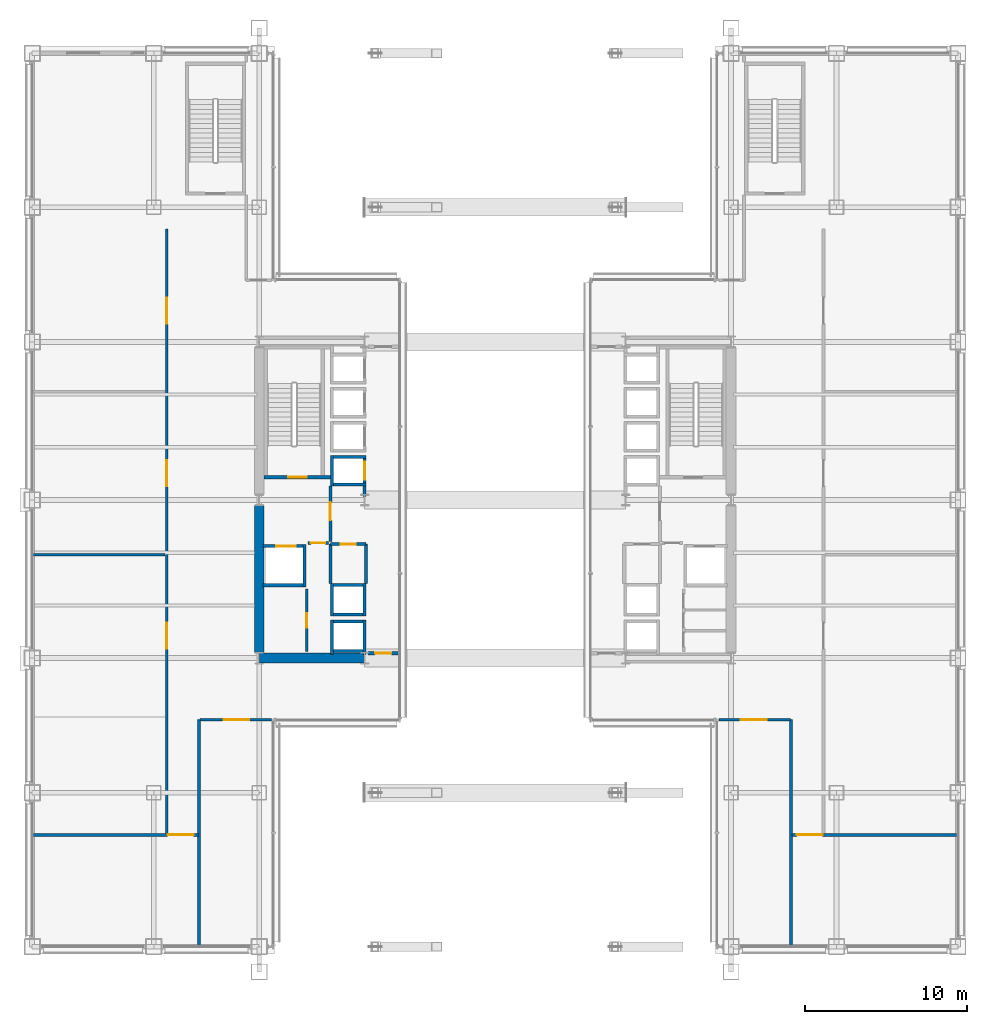
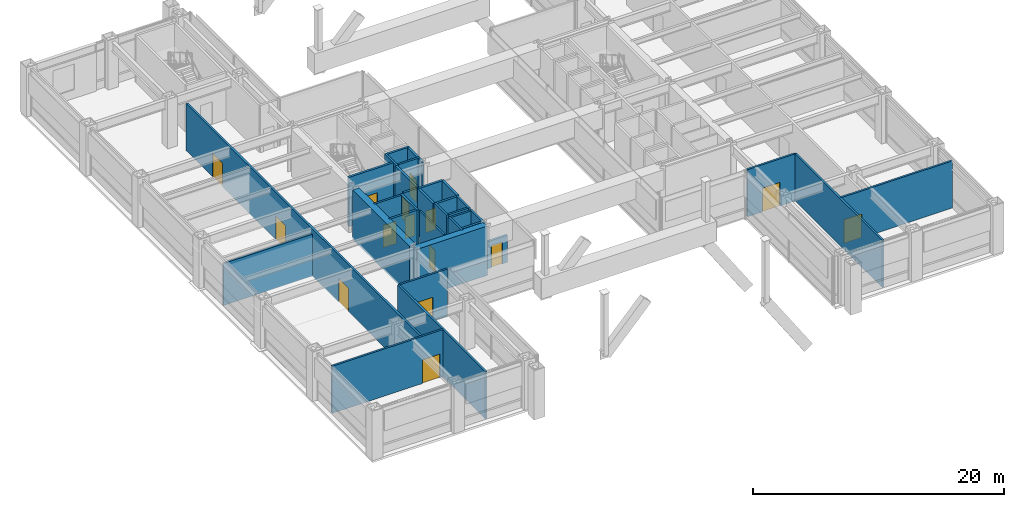
# One storey, part 37 of 42: 33 walls, 15 doors, 15 openings.
"""IFC4 building model written with IfcOpenShell, lengths in metres."""

from ifc_helpers import new_model, si_unit, direction, frame, frame_2d, origin, place, context, subcontext, project, spatial, rectangle, extrude, material, layer, layer_set, type_object, element, fill, save


model = new_model("IFC4")

# Units and contexts
model_context = context("Model", 3, precision=1e-05, world=origin(), true_north=direction((0.0, 1.0)))
body_context = subcontext(model_context, "Body", "Model", "MODEL_VIEW")
ifc_project = project(units=[si_unit("LENGTHUNIT", "METRE"), si_unit("AREAUNIT", "SQUARE_METRE"), si_unit("VOLUMEUNIT", "CUBIC_METRE"), si_unit("PLANEANGLEUNIT", "RADIAN"), si_unit("MASSUNIT", "GRAM", prefix="KILO")], contexts=[model_context])

# Site, building, storey
site_placement = place(None, origin())
site = spatial("IfcSite", under=ifc_project, at=site_placement, CompositionType="ELEMENT")
building_placement = place(site_placement, origin())
building = spatial("IfcBuilding", under=site, at=building_placement, Name="Brelmoor Portico Tower", CompositionType="ELEMENT")
storey_placement = place(building_placement, frame((0.0, 0.0, 9.60009765625)))
storey = spatial("IfcBuildingStorey", under=building, at=storey_placement, Name="L02", CompositionType="ELEMENT", Elevation=9.60009765625)

# Walls
ifc_material_1 = material(Name="Concrete C60", Category="concrete")
ifc_layer_1 = layer(ifc_material_1, 0.60009765625)
ifc_layer_set_1 = layer_set([ifc_layer_1], Name="Concrete C60")
wall_type_1 = type_object("IfcWallType", Name="WL-CORE-600", PredefinedType="SHEAR", material=ifc_layer_set_1)
wall_1_placement = place(storey_placement, frame((-14.530029296875, -9.75, -0.22021484375), z_axis=(0.0, 0.0, 1.0), x_axis=(1.0, 0.0, 0.0)))
element("IfcWall", 1, at=wall_1_placement, inside=storey, type_object=wall_type_1, Name="L02 WC South Shear Wall", PredefinedType="SHEAR", context=body_context, shape_type="SweptSolid", body=[
    extrude(rectangle(XDim=6.4599609375, YDim=0.60009765625, at=frame_2d((3.22998046875, 0.0))), origin(), (0.0, 0.0, 1.0), 4.800048828125),
])
wall_2_placement = place(storey_placement, frame((-14.550048828125, -9.39990234375, -0.22021484375), z_axis=(0.0, 0.0, 1.0), x_axis=(0.0, 1.0, 0.0)))
element("IfcWall", 2, at=wall_2_placement, inside=storey, type_object=wall_type_1, Name="L02 WC Outer South Shear Wall", PredefinedType="SHEAR", context=body_context, shape_type="SweptSolid", body=[
    extrude(rectangle(XDim=9.0498046875, YDim=0.60009765625, at=frame_2d((4.52490234375, 0.0))), origin(), (0.0, 0.0, 1.0), 4.800048828125),
])

# Wall, opening, door
ifc_material_2 = material(Name="Twin-Frame Acoustic Partition", Category="gypsum")
ifc_layer_2 = layer(ifc_material_2, 0.159912109375)
ifc_layer_set_2 = layer_set([ifc_layer_2], Name="Twin-Frame Acoustic Partition")
wall_type_2 = type_object("IfcWallType", Name="WL-PART-160", PredefinedType="PARTITIONING", material=ifc_layer_set_2)
wall_3_placement = place(storey_placement, frame((-11.6201171875, -9.35009765625, 0.0), z_axis=(0.0, 0.0, 1.0), x_axis=(0.0, 1.0, 0.0)))
wall_3 = element("IfcWall", 3, at=wall_3_placement, inside=storey, type_object=wall_type_2, Name="L02 W Core Service Front Wall", PredefinedType="PARTITIONING", context=body_context, shape_type="SweptSolid", body=[
    extrude(rectangle(XDim=3.85009765625, YDim=0.159912109375, at=frame_2d((1.925048828125, 0.0))), origin(), (0.0, 0.0, 1.0), 4.579833984375),
])
opening_1_placement = place(wall_3_placement, frame((1.47509765625, 0.0, 0.0)))
opening_1 = element("IfcOpeningElement", 4, at=opening_1_placement, cuts=wall_3, Name="Opening D-IN1", PredefinedType="OPENING", context=body_context, shape_type="SweptSolid", body=[
    extrude(rectangle(XDim=0.89990234375, YDim=2.14990234375, at=frame_2d((0.449951171875, 1.074951171875))), frame((0.0, 0.08984375, 0.0), z_axis=(0.0, -1.0, 0.0), x_axis=(1.0, 0.0, 0.0)), (0.0, 0.0, 1.0), 0.179931640625),
])
ifc_material_3 = material(Name="Lacquered Timber Suite Door", Category="wood")
door_type_1 = type_object("IfcDoorType", Name="DR-INT-900", OperationType="NOTDEFINED", PredefinedType="DOOR", material=ifc_material_3)
door_1_placement = place(opening_1_placement, origin())
door_1 = element("IfcDoor", 5, at=door_1_placement, inside=storey, type_object=door_type_1, Name="D-0135 L02 W Accessible WC Door", OperationType="SINGLE_SWING_RIGHT", OverallHeight=2.14990234375, OverallWidth=0.89990234375, PredefinedType="DOOR", context=body_context, shape_type="SweptSolid", body=[
    extrude(rectangle(XDim=0.89990234375, YDim=2.14990234375, at=frame_2d((0.449951171875, 1.074951171875))), frame((0.0, 0.02490234375, 0.0), z_axis=(0.0, -1.0, 0.0), x_axis=(1.0, 0.0, 0.0)), (0.0, 0.0, 1.0), 0.050048828125),
])
fill(opening_1, door_1)

# Wall
wall_4_placement = place(storey_placement, frame((-20.35009765625, -3.36669921875, 0.0), z_axis=(0.0, 0.0, 1.0), x_axis=(-1.0, 0.0, 0.0)))
element("IfcWall", 6, at=wall_4_placement, inside=storey, type_object=wall_type_2, Name="L02 W Wing Divider 1", PredefinedType="PARTITIONING", context=body_context, shape_type="SweptSolid", body=[
    extrude(rectangle(XDim=8.169921875, YDim=0.159912109375, at=frame_2d((4.0849609375, 0.0))), origin(), (0.0, 0.0, 1.0), 4.079833984375),
])

# Wall, openings, doors
ifc_material_4 = material(Name="Acoustic Corridor Fire Partition", Category="gypsum")
ifc_layer_3 = layer(ifc_material_4, 0.179931640625)
ifc_layer_set_3 = layer_set([ifc_layer_3], Name="Acoustic Corridor Fire Partition")
wall_type_3 = type_object("IfcWallType", Name="WL-PART-180", PredefinedType="PARTITIONING", material=ifc_layer_set_3)
wall_5_placement = place(storey_placement, frame((-20.25, -20.60009765625, 0.0), z_axis=(0.0, 0.0, 1.0), x_axis=(0.0, 1.0, 0.0)))
wall_5 = element("IfcWall", 7, at=wall_5_placement, inside=storey, type_object=wall_type_3, Name="L02 W Wing Concourse Wall", PredefinedType="PARTITIONING", context=body_context, shape_type="SweptSolid", body=[
    extrude(rectangle(XDim=37.300048828125, YDim=0.179931640625, at=frame_2d((18.64990234375, 0.0))), origin(), (0.0, 0.0, 1.0), 4.579833984375),
])
opening_2_placement = place(wall_5_placement, frame((11.416748046875, 0.0, 0.0)))
opening_2 = element("IfcOpeningElement", 8, at=opening_2_placement, cuts=wall_5, Name="Opening D-PB1", PredefinedType="OPENING", context=body_context, shape_type="SweptSolid", body=[
    extrude(rectangle(XDim=1.60009765625, YDim=2.300048828125, at=frame_2d((0.800048828125, 1.14990234375))), frame((0.0, 0.099853515625, 0.0), z_axis=(0.0, -1.0, 0.0), x_axis=(1.0, 0.0, 0.0)), (0.0, 0.0, 1.0), 0.199951171875),
])
opening_3_placement = place(wall_5_placement, frame((21.449951171875, 0.0, 0.0)))
opening_3 = element("IfcOpeningElement", 9, at=opening_3_placement, cuts=wall_5, Name="Opening D-PB1", PredefinedType="OPENING", context=body_context, shape_type="SweptSolid", body=[
    extrude(rectangle(XDim=1.60009765625, YDim=2.300048828125, at=frame_2d((0.800048828125, 1.14990234375))), frame((0.0, 0.099853515625, 0.0), z_axis=(0.0, -1.0, 0.0), x_axis=(1.0, 0.0, 0.0)), (0.0, 0.0, 1.0), 0.199951171875),
])
opening_4_placement = place(wall_5_placement, frame((31.4833984375, 0.0, 0.0)))
opening_4 = element("IfcOpeningElement", 10, at=opening_4_placement, cuts=wall_5, Name="Opening D-PB1", PredefinedType="OPENING", context=body_context, shape_type="SweptSolid", body=[
    extrude(rectangle(XDim=1.60009765625, YDim=2.300048828125, at=frame_2d((0.800048828125, 1.14990234375))), frame((0.0, 0.099853515625, 0.0), z_axis=(0.0, -1.0, 0.0), x_axis=(1.0, 0.0, 0.0)), (0.0, 0.0, 1.0), 0.199951171875),
])
ifc_material_5 = material(Name="Double-Leaf Anodised Aluminium Hall Door", Category="aluminium")
door_type_2 = type_object("IfcDoorType", Name="DR-PUBLIC-1600", OperationType="NOTDEFINED", PredefinedType="DOOR", material=ifc_material_5)
door_2_placement = place(opening_2_placement, origin())
door_2 = element("IfcDoor", 11, at=door_2_placement, inside=storey, type_object=door_type_2, Name="D-0153 L02 W Public Exhibition Studio Door", OperationType="DOUBLE_DOOR_SINGLE_SWING", OverallHeight=2.300048828125, OverallWidth=1.60009765625, PredefinedType="DOOR", context=body_context, shape_type="SweptSolid", body=[
    extrude(rectangle(XDim=1.60009765625, YDim=2.300048828125, at=frame_2d((0.800048828125, 1.14990234375))), frame((0.0, 0.02490234375, 0.0), z_axis=(0.0, -1.0, 0.0), x_axis=(1.0, 0.0, 0.0)), (0.0, 0.0, 1.0), 0.050048828125),
])
fill(opening_2, door_2)
door_3_placement = place(opening_3_placement, origin())
door_3 = element("IfcDoor", 12, at=door_3_placement, inside=storey, type_object=door_type_2, Name="D-0154 L02 W Flagship Retail Arcade Door", OperationType="DOUBLE_DOOR_SINGLE_SWING", OverallHeight=2.300048828125, OverallWidth=1.60009765625, PredefinedType="DOOR", context=body_context, shape_type="SweptSolid", body=[
    extrude(rectangle(XDim=1.60009765625, YDim=2.300048828125, at=frame_2d((0.800048828125, 1.14990234375))), frame((0.0, 0.02490234375, 0.0), z_axis=(0.0, -1.0, 0.0), x_axis=(1.0, 0.0, 0.0)), (0.0, 0.0, 1.0), 0.050048828125),
])
fill(opening_3, door_3)
door_4_placement = place(opening_4_placement, origin())
door_4 = element("IfcDoor", 13, at=door_4_placement, inside=storey, type_object=door_type_2, Name="D-0155 L02 W Architectural Archive Office Door", OperationType="DOUBLE_DOOR_SINGLE_SWING", OverallHeight=2.300048828125, OverallWidth=1.60009765625, PredefinedType="DOOR", context=body_context, shape_type="SweptSolid", body=[
    extrude(rectangle(XDim=1.60009765625, YDim=2.300048828125, at=frame_2d((0.800048828125, 1.14990234375))), frame((0.0, 0.02490234375, 0.0), z_axis=(0.0, -1.0, 0.0), x_axis=(1.0, 0.0, 0.0)), (0.0, 0.0, 1.0), 0.050048828125),
])
fill(opening_4, door_4)

# Wall, opening, door
wall_6_placement = place(storey_placement, frame((-13.800048828125, -13.550048828125, 0.0), z_axis=(0.0, 0.0, 1.0), x_axis=(-1.0, 0.0, 0.0)))
wall_6 = element("IfcWall", 14, at=wall_6_placement, inside=storey, type_object=wall_type_3, Name="L02 W South Hall Wall", PredefinedType="PARTITIONING", context=body_context, shape_type="SweptSolid", body=[
    extrude(rectangle(XDim=4.39990234375, YDim=0.179931640625, at=frame_2d((2.199951171875, 0.0))), origin(), (0.0, 0.0, 1.0), 4.579833984375),
])
opening_5_placement = place(wall_6_placement, frame((1.35009765625, 0.0, 0.0)))
opening_5 = element("IfcOpeningElement", 15, at=opening_5_placement, cuts=wall_6, Name="Opening D-PB1", PredefinedType="OPENING", context=body_context, shape_type="SweptSolid", body=[
    extrude(rectangle(XDim=1.60009765625, YDim=2.300048828125, at=frame_2d((0.800048828125, 1.14990234375))), frame((0.0, 0.099853515625, 0.0), z_axis=(0.0, -1.0, 0.0), x_axis=(1.0, 0.0, 0.0)), (0.0, 0.0, 1.0), 0.199951171875),
])
door_5_placement = place(opening_5_placement, origin())
door_5 = element("IfcDoor", 16, at=door_5_placement, inside=storey, type_object=door_type_2, Name="D-0147 L02 W South Studio Door", OperationType="DOUBLE_DOOR_SINGLE_SWING", OverallHeight=2.300048828125, OverallWidth=1.60009765625, PredefinedType="DOOR", context=body_context, shape_type="SweptSolid", body=[
    extrude(rectangle(XDim=1.60009765625, YDim=2.300048828125, at=frame_2d((0.800048828125, 1.14990234375))), frame((0.0, 0.02490234375, 0.0), z_axis=(0.0, -1.0, 0.0), x_axis=(1.0, 0.0, 0.0)), (0.0, 0.0, 1.0), 0.050048828125),
])
fill(opening_5, door_5)

# Wall
wall_7_placement = place(storey_placement, frame((-18.25, -27.5, 0.0), z_axis=(0.0, 0.0, 1.0), x_axis=(0.0, 1.0, 0.0)))
element("IfcWall", 17, at=wall_7_placement, inside=storey, type_object=wall_type_3, Name="L02 W South Studio Side Wall", PredefinedType="PARTITIONING", context=body_context, shape_type="SweptSolid", body=[
    extrude(rectangle(XDim=13.949951171875, YDim=0.179931640625, at=frame_2d((6.97509765625, 0.0))), origin(), (0.0, 0.0, 1.0), 4.579833984375),
])

# Wall, opening, door
wall_8_placement = place(storey_placement, frame((-18.300048828125, -20.64990234375, 0.0), z_axis=(0.0, 0.0, 1.0), x_axis=(-1.0, 0.0, 0.0)))
wall_8 = element("IfcWall", 18, at=wall_8_placement, inside=storey, type_object=wall_type_3, Name="L02 W South Corner Concourse Wall", PredefinedType="PARTITIONING", context=body_context, shape_type="SweptSolid", body=[
    extrude(rectangle(XDim=10.219970703125, YDim=0.179931640625, at=frame_2d((5.10986328125, 0.0))), origin(), (0.0, 0.0, 1.0), 4.579833984375),
])
opening_6_placement = place(wall_8_placement, frame((0.300048828125, 0.0, 0.0)))
opening_6 = element("IfcOpeningElement", 19, at=opening_6_placement, cuts=wall_8, Name="Opening D-PB1", PredefinedType="OPENING", context=body_context, shape_type="SweptSolid", body=[
    extrude(rectangle(XDim=1.60009765625, YDim=2.300048828125, at=frame_2d((0.800048828125, 1.14990234375))), frame((0.0, 0.099853515625, 0.0), z_axis=(0.0, -1.0, 0.0), x_axis=(1.0, 0.0, 0.0)), (0.0, 0.0, 1.0), 0.199951171875),
])
door_6_placement = place(opening_6_placement, origin())
door_6 = element("IfcDoor", 20, at=door_6_placement, inside=storey, type_object=door_type_2, Name="D-0149 L02 W South Corner Retail Door", OperationType="DOUBLE_DOOR_SINGLE_SWING", OverallHeight=2.300048828125, OverallWidth=1.60009765625, PredefinedType="DOOR", context=body_context, shape_type="SweptSolid", body=[
    extrude(rectangle(XDim=1.60009765625, YDim=2.300048828125, at=frame_2d((0.800048828125, 1.14990234375))), frame((0.0, 0.02490234375, 0.0), z_axis=(0.0, -1.0, 0.0), x_axis=(1.0, 0.0, 0.0)), (0.0, 0.0, 1.0), 0.050048828125),
])
fill(opening_6, door_6)

wall_9_placement = place(storey_placement, frame((13.800048828125, -13.550048828125, 0.0), z_axis=(0.0, 0.0, 1.0), x_axis=(1.0, 0.0, 0.0)))
wall_9 = element("IfcWall", 21, at=wall_9_placement, inside=storey, type_object=wall_type_3, Name="L02 E South Hall Wall", PredefinedType="PARTITIONING", context=body_context, shape_type="SweptSolid", body=[
    extrude(rectangle(XDim=4.39990234375, YDim=0.179931640625, at=frame_2d((2.199951171875, 0.0))), origin(), (0.0, 0.0, 1.0), 4.579833984375),
])
opening_7_placement = place(wall_9_placement, frame((1.35009765625, 0.0, 0.0)))
opening_7 = element("IfcOpeningElement", 22, at=opening_7_placement, cuts=wall_9, Name="Opening D-PB1", PredefinedType="OPENING", context=body_context, shape_type="SweptSolid", body=[
    extrude(rectangle(XDim=1.60009765625, YDim=2.300048828125, at=frame_2d((0.800048828125, 1.14990234375))), frame((0.0, 0.099853515625, 0.0), z_axis=(0.0, -1.0, 0.0), x_axis=(1.0, 0.0, 0.0)), (0.0, 0.0, 1.0), 0.199951171875),
])
door_7_placement = place(opening_7_placement, origin())
door_7 = element("IfcDoor", 23, at=door_7_placement, inside=storey, type_object=door_type_2, Name="D-0146 L02 E South Studio Door", OperationType="DOUBLE_DOOR_SINGLE_SWING", OverallHeight=2.300048828125, OverallWidth=1.60009765625, PredefinedType="DOOR", context=body_context, shape_type="SweptSolid", body=[
    extrude(rectangle(XDim=1.60009765625, YDim=2.300048828125, at=frame_2d((0.800048828125, 1.14990234375))), frame((0.0, 0.02490234375, 0.0), z_axis=(0.0, -1.0, 0.0), x_axis=(1.0, 0.0, 0.0)), (0.0, 0.0, 1.0), 0.050048828125),
])
fill(opening_7, door_7)

# Wall
wall_10_placement = place(storey_placement, frame((18.25, -27.5, 0.0), z_axis=(0.0, 0.0, 1.0), x_axis=(0.0, 1.0, 0.0)))
element("IfcWall", 24, at=wall_10_placement, inside=storey, type_object=wall_type_3, Name="L02 E South Studio Side Wall", PredefinedType="PARTITIONING", context=body_context, shape_type="SweptSolid", body=[
    extrude(rectangle(XDim=13.949951171875, YDim=0.179931640625, at=frame_2d((6.97509765625, 0.0))), origin(), (0.0, 0.0, 1.0), 4.579833984375),
])

# Wall, opening, door
wall_11_placement = place(storey_placement, frame((18.300048828125, -20.64990234375, 0.0), z_axis=(0.0, 0.0, 1.0), x_axis=(1.0, 0.0, 0.0)))
wall_11 = element("IfcWall", 25, at=wall_11_placement, inside=storey, type_object=wall_type_3, Name="L02 E South Corner Concourse Wall", PredefinedType="PARTITIONING", context=body_context, shape_type="SweptSolid", body=[
    extrude(rectangle(XDim=10.219970703125, YDim=0.179931640625, at=frame_2d((5.10986328125, 0.0))), origin(), (0.0, 0.0, 1.0), 4.579833984375),
])
opening_8_placement = place(wall_11_placement, frame((0.300048828125, 0.0, 0.0)))
opening_8 = element("IfcOpeningElement", 26, at=opening_8_placement, cuts=wall_11, Name="Opening D-PB1", PredefinedType="OPENING", context=body_context, shape_type="SweptSolid", body=[
    extrude(rectangle(XDim=1.60009765625, YDim=2.300048828125, at=frame_2d((0.800048828125, 1.14990234375))), frame((0.0, 0.099853515625, 0.0), z_axis=(0.0, -1.0, 0.0), x_axis=(1.0, 0.0, 0.0)), (0.0, 0.0, 1.0), 0.199951171875),
])
door_8_placement = place(opening_8_placement, origin())
door_8 = element("IfcDoor", 27, at=door_8_placement, inside=storey, type_object=door_type_2, Name="D-0148 L02 E South Corner Retail Door", OperationType="DOUBLE_DOOR_SINGLE_SWING", OverallHeight=2.300048828125, OverallWidth=1.60009765625, PredefinedType="DOOR", context=body_context, shape_type="SweptSolid", body=[
    extrude(rectangle(XDim=1.60009765625, YDim=2.300048828125, at=frame_2d((0.800048828125, 1.14990234375))), frame((0.0, 0.02490234375, 0.0), z_axis=(0.0, -1.0, 0.0), x_axis=(1.0, 0.0, 0.0)), (0.0, 0.0, 1.0), 0.050048828125),
])
fill(opening_8, door_8)

ifc_material_6 = material(Name="Double-Stud Gypsum Fire Partition", Category="gypsum")
ifc_layer_4 = layer(ifc_material_6, 0.199951171875)
ifc_layer_set_4 = layer_set([ifc_layer_4], Name="Double-Stud Gypsum Fire Partition")
wall_type_4 = type_object("IfcWallType", Name="WL-PART-200", PredefinedType="PARTITIONING", material=ifc_layer_set_4)
wall_12_placement = place(storey_placement, frame((-10.159912109375, -2.550048828125, 0.0), z_axis=(0.0, 0.0, 1.0), x_axis=(0.0, 1.0, 0.0)))
wall_12 = element("IfcWall", 28, at=wall_12_placement, inside=storey, type_object=wall_type_4, Name="L02 W Firefighting Lobby Wall", PredefinedType="PARTITIONING", context=body_context, shape_type="SweptSolid", body=[
    extrude(rectangle(XDim=3.400146484375, YDim=0.199951171875, at=frame_2d((1.7001953125, 0.0))), origin(), (0.0, 0.0, 1.0), 4.579833984375),
])
opening_9_placement = place(wall_12_placement, frame((1.300048828125, 0.0, 0.0)))
opening_9 = element("IfcOpeningElement", 29, at=opening_9_placement, cuts=wall_12, Name="Opening D-FR1", PredefinedType="OPENING", context=body_context, shape_type="SweptSolid", body=[
    extrude(rectangle(XDim=1.10009765625, YDim=2.14990234375, at=frame_2d((0.550048828125, 1.074951171875))), frame((0.0, 0.10986328125, 0.0), z_axis=(0.0, -1.0, 0.0), x_axis=(1.0, 0.0, 0.0)), (0.0, 0.0, 1.0), 0.219970703125),
])
ifc_material_7 = material(Name="Painted Galvanised Steel Fire Door", Category="steel")
door_type_3 = type_object("IfcDoorType", Name="DR-FIRE-1100", OperationType="NOTDEFINED", PredefinedType="DOOR", material=ifc_material_7)
door_9_placement = place(opening_9_placement, origin())
door_9 = element("IfcDoor", 30, at=door_9_placement, inside=storey, type_object=door_type_3, Name="D-0139 L02 W Firefighting Lobby Door", OperationType="SINGLE_SWING_LEFT", OverallHeight=2.14990234375, OverallWidth=1.10009765625, PredefinedType="DOOR", context=body_context, shape_type="SweptSolid", body=[
    extrude(rectangle(XDim=1.10009765625, YDim=2.14990234375, at=frame_2d((0.550048828125, 1.074951171875))), frame((0.0, 0.02490234375, 0.0), z_axis=(0.0, -1.0, 0.0), x_axis=(1.0, 0.0, 0.0)), (0.0, 0.0, 1.0), 0.050048828125),
])
fill(opening_9, door_9)

wall_13_placement = place(storey_placement, frame((-10.280029296875, -2.64990234375, 0.0), z_axis=(0.0, 0.0, 1.0), x_axis=(-1.0, 0.0, 0.0)))
wall_13 = element("IfcWall", 31, at=wall_13_placement, inside=storey, type_object=wall_type_4, Name="L02 W Firefighting Lobby South Wall", PredefinedType="PARTITIONING", context=body_context, shape_type="SweptSolid", body=[
    extrude(rectangle(XDim=1.27001953125, YDim=0.199951171875, at=frame_2d((0.635009765625, 0.0))), origin(), (0.0, 0.0, 1.0), 4.579833984375),
])
opening_10_placement = place(wall_13_placement, frame((0.18505859375, 0.0, 0.0)))
opening_10 = element("IfcOpeningElement", 32, at=opening_10_placement, cuts=wall_13, Name="Opening D-IN1", PredefinedType="OPENING", context=body_context, shape_type="SweptSolid", body=[
    extrude(rectangle(XDim=0.89990234375, YDim=2.14990234375, at=frame_2d((0.449951171875, 1.074951171875))), frame((0.0, 0.10986328125, 0.0), z_axis=(0.0, -1.0, 0.0), x_axis=(1.0, 0.0, 0.0)), (0.0, 0.0, 1.0), 0.219970703125),
])
door_10_placement = place(opening_10_placement, origin())
door_10 = element("IfcDoor", 33, at=door_10_placement, inside=storey, type_object=door_type_1, Name="D-0134 L02 W Core Service Vestibule Door", OperationType="SINGLE_SWING_RIGHT", OverallHeight=2.14990234375, OverallWidth=0.89990234375, PredefinedType="DOOR", context=body_context, shape_type="SweptSolid", body=[
    extrude(rectangle(XDim=0.89990234375, YDim=2.14990234375, at=frame_2d((0.449951171875, 1.074951171875))), frame((0.0, 0.02490234375, 0.0), z_axis=(0.0, -1.0, 0.0), x_axis=(1.0, 0.0, 0.0)), (0.0, 0.0, 1.0), 0.050048828125),
])
fill(opening_10, door_10)

wall_14_placement = place(storey_placement, frame((-7.9599609375, -2.719970703125, 0.0), z_axis=(0.0, 0.0, 1.0), x_axis=(-1.0, 0.0, 0.0)))
wall_14 = element("IfcWall", 34, at=wall_14_placement, inside=storey, type_object=wall_type_4, Name="L02 W Electrical Switchgear Closet Wall", PredefinedType="PARTITIONING", context=body_context, shape_type="SweptSolid", body=[
    extrude(rectangle(XDim=2.199951171875, YDim=0.199951171875, at=frame_2d((1.10009765625, 0.0))), origin(), (0.0, 0.0, 1.0), 4.579833984375),
])
opening_11_placement = place(wall_14_placement, frame((0.6201171875, 0.0, 0.0)))
opening_11 = element("IfcOpeningElement", 35, at=opening_11_placement, cuts=wall_14, Name="Opening D-FR4", PredefinedType="OPENING", context=body_context, shape_type="SweptSolid", body=[
    extrude(rectangle(XDim=0.949951171875, YDim=2.10009765625, at=frame_2d((0.47509765625, 1.050048828125))), frame((0.0, 0.10986328125, 0.0), z_axis=(0.0, -1.0, 0.0), x_axis=(1.0, 0.0, 0.0)), (0.0, 0.0, 1.0), 0.219970703125),
])
ifc_material_8 = material(Name="Painted Galvanised Steel Riser Door", Category="steel")
door_type_4 = type_object("IfcDoorType", Name="DR-FIRE-950", OperationType="NOTDEFINED", PredefinedType="DOOR", material=ifc_material_8)
door_11_placement = place(opening_11_placement, origin())
door_11 = element("IfcDoor", 36, at=door_11_placement, inside=storey, type_object=door_type_4, Name="D-0137 L02 W Electrical Switchgear Closet Door", OperationType="SINGLE_SWING_LEFT", OverallHeight=2.10009765625, OverallWidth=0.949951171875, PredefinedType="DOOR", context=body_context, shape_type="SweptSolid", body=[
    extrude(rectangle(XDim=0.949951171875, YDim=2.10009765625, at=frame_2d((0.47509765625, 1.050048828125))), frame((0.0, 0.02490234375, 0.0), z_axis=(0.0, -1.0, 0.0), x_axis=(1.0, 0.0, 0.0)), (0.0, 0.0, 1.0), 0.050048828125),
])
fill(opening_11, door_11)

# Walls
for number, where, z_axis, x_axis, name in (
    (37, (-7.9599609375, -5.159912109375, 0.0), (0.0, 0.0, 1.0), (0.0, 1.0, 0.0), "L02 W Electrical Switchgear Closet Inner Wall"),
    (38, (-10.159912109375, -5.159912109375, 0.0), (0.0, 0.0, 1.0), (0.0, 1.0, 0.0), "L02 W Electrical Switchgear Closet Outer Wall"),
):
    element("IfcWall", number, at=place(storey_placement, frame(where, z_axis=z_axis, x_axis=x_axis)), inside=storey, type_object=wall_type_4, Name=name, PredefinedType="PARTITIONING", context=body_context, shape_type="SweptSolid", body=[
        extrude(rectangle(XDim=2.43994140625, YDim=0.199951171875, at=frame_2d((1.219970703125, 0.0))), origin(), (0.0, 0.0, 1.0), 4.579833984375),
    ])

# Wall, opening, door
wall_15_placement = place(storey_placement, frame((-7.85009765625, -9.449951171875, 0.0), z_axis=(0.0, 0.0, 1.0), x_axis=(1.0, 0.0, 0.0)))
wall_15 = element("IfcWall", 39, at=wall_15_placement, inside=storey, type_object=wall_type_4, Name="L02 W Pier Lift Lobby South Wall", PredefinedType="PARTITIONING", context=body_context, shape_type="SweptSolid", body=[
    extrude(rectangle(XDim=1.93017578125, YDim=0.199951171875, at=frame_2d((0.965087890625, 0.0))), origin(), (0.0, 0.0, 1.0), 2.6298828125),
])
opening_12_placement = place(wall_15_placement, frame((0.449951171875, 0.0, 0.0)))
opening_12 = element("IfcOpeningElement", 40, at=opening_12_placement, cuts=wall_15, Name="Opening D-FR2", PredefinedType="OPENING", context=body_context, shape_type="SweptSolid", body=[
    extrude(rectangle(XDim=1.0, YDim=2.14990234375, at=frame_2d((0.5, 1.074951171875))), frame((0.0, 0.10986328125, 0.0), z_axis=(0.0, -1.0, 0.0), x_axis=(1.0, 0.0, 0.0)), (0.0, 0.0, 1.0), 0.219970703125),
])
door_type_5 = type_object("IfcDoorType", Name="DR-FIRE-1000", OperationType="NOTDEFINED", PredefinedType="DOOR", material=ifc_material_7)
door_12_placement = place(opening_12_placement, origin())
door_12 = element("IfcDoor", 41, at=door_12_placement, inside=storey, type_object=door_type_5, Name="D-0143 L02 W Pier Lift Lobby South Door", OperationType="SINGLE_SWING_LEFT", OverallHeight=2.14990234375, OverallWidth=1.0, PredefinedType="DOOR", context=body_context, shape_type="SweptSolid", body=[
    extrude(rectangle(XDim=1.0, YDim=2.14990234375, at=frame_2d((0.5, 1.074951171875))), frame((0.0, 0.02490234375, 0.0), z_axis=(0.0, -1.0, 0.0), x_axis=(1.0, 0.0, 0.0)), (0.0, 0.0, 1.0), 0.050048828125),
])
fill(opening_12, door_12)

ifc_material_9 = material(Name="Precast Concrete C40", Category="concrete")
ifc_layer_5 = layer(ifc_material_9, 0.18994140625)
ifc_layer_set_5 = layer_set([ifc_layer_5], Name="Precast Concrete C40")
wall_type_5 = type_object("IfcWallType", Name="WL-SHAFT-180", PredefinedType="SOLIDWALL", material=ifc_layer_set_5)
wall_16_placement = place(storey_placement, frame((-8.044921875, 0.2099609375, -0.22021484375), z_axis=(0.0, 0.0, 1.0), x_axis=(0.0, 1.0, 0.0)))
wall_16 = element("IfcWall", 42, at=wall_16_placement, inside=storey, type_object=wall_type_5, Name="L02 Lift PL1 Hoistway Front Wall", PredefinedType="SOLIDWALL", context=body_context, shape_type="SweptSolid", body=[
    extrude(rectangle(XDim=2.5400390625, YDim=0.18994140625, at=frame_2d((1.27001953125, 0.0))), origin(), (0.0, 0.0, 1.0), 4.800048828125),
])
opening_13_placement = place(wall_16_placement, frame((1.0400390625, 0.0, 0.219970703125)))
opening_13 = element("IfcOpeningElement", 43, at=opening_13_placement, cuts=wall_16, Name="Opening LD-01", PredefinedType="OPENING", context=body_context, shape_type="SweptSolid", body=[
    extrude(rectangle(XDim=1.10009765625, YDim=2.199951171875, at=frame_2d((0.550048828125, 1.10009765625))), frame((0.0, 0.10498046875, 0.0), z_axis=(0.0, -1.0, 0.0), x_axis=(1.0, 0.0, 0.0)), (0.0, 0.0, 1.0), 0.2099609375),
])
ifc_material_10 = material(Name="Brushed Stainless Steel Sliding Lift Door", Category="steel")
door_type_6 = type_object("IfcDoorType", Name="DR-LIFT-1100", OperationType="NOTDEFINED", PredefinedType="DOOR", material=ifc_material_10)
door_13_placement = place(opening_13_placement, origin())
door_13 = element("IfcDoor", 44, at=door_13_placement, inside=storey, type_object=door_type_6, Name="D-0162 L02 Lift PL1 Sliding Landing Door", OperationType="SLIDING_TO_LEFT", OverallHeight=2.199951171875, OverallWidth=1.10009765625, PredefinedType="DOOR", context=body_context, shape_type="SweptSolid", body=[
    extrude(rectangle(XDim=1.10009765625, YDim=2.199951171875, at=frame_2d((0.550048828125, 1.10009765625))), frame((0.0, 0.02490234375, 0.0), z_axis=(0.0, -1.0, 0.0), x_axis=(1.0, 0.0, 0.0)), (0.0, 0.0, 1.0), 0.050048828125),
])
fill(opening_13, door_13)

# Walls
wall_17_placement = place(storey_placement, frame((-10.054931640625, 0.85009765625, -0.22021484375), z_axis=(0.0, 0.0, 1.0), x_axis=(0.0, 1.0, 0.0)))
element("IfcWall", 45, at=wall_17_placement, inside=storey, type_object=wall_type_5, Name="L02 Lift PL1 Hoistway Back Wall", PredefinedType="SOLIDWALL", context=body_context, shape_type="SweptSolid", body=[
    extrude(rectangle(XDim=1.89990234375, YDim=0.18994140625, at=frame_2d((0.949951171875, 0.0))), origin(), (0.0, 0.0, 1.0), 4.800048828125),
])
for number, where, z_axis, x_axis, name in (
    (46, (-10.14990234375, 2.655029296875, -0.22021484375), (0.0, 0.0, 1.0), (1.0, 0.0, 0.0), "L02 Lift PL1 Hoistway North Wall"),
    (47, (-10.14990234375, 0.945068359375, -0.22021484375), (0.0, 0.0, 1.0), (1.0, 0.0, 0.0), "L02 Lift PL1 Hoistway South Wall"),
):
    element("IfcWall", number, at=place(storey_placement, frame(where, z_axis=z_axis, x_axis=x_axis)), inside=storey, type_object=wall_type_5, Name=name, PredefinedType="SOLIDWALL", context=body_context, shape_type="SweptSolid", body=[
        extrude(rectangle(XDim=2.199951171875, YDim=0.18994140625, at=frame_2d((1.10009765625, 0.0))), origin(), (0.0, 0.0, 1.0), 4.800048828125),
    ])
for number, where, z_axis, x_axis, name in (
    (48, (-8.044921875, -9.52001953125, -0.22021484375), (0.0, 0.0, 1.0), (0.0, 1.0, 0.0), "L02 Lift PH1 Hoistway Front Wall"),
    (49, (-10.054931640625, -9.52001953125, -0.22021484375), (0.0, 0.0, 1.0), (0.0, 1.0, 0.0), "L02 Lift PH1 Hoistway Back Wall"),
):
    element("IfcWall", number, at=place(storey_placement, frame(where, z_axis=z_axis, x_axis=x_axis)), inside=storey, type_object=wall_type_5, Name=name, PredefinedType="SOLIDWALL", context=body_context, shape_type="SweptSolid", body=[
        extrude(rectangle(XDim=2.1201171875, YDim=0.18994140625, at=frame_2d((1.06005859375, 0.0))), origin(), (0.0, 0.0, 1.0), 4.800048828125),
    ])
for number, where, z_axis, x_axis, name in (
    (50, (-10.14990234375, -7.4951171875, -0.22021484375), (0.0, 0.0, 1.0), (1.0, 0.0, 0.0), "L02 Lift PH1 Hoistway North Wall"),
    (51, (-10.14990234375, -9.304931640625, -0.22021484375), (0.0, 0.0, 1.0), (1.0, 0.0, 0.0), "L02 Lift PH1 Hoistway South Wall"),
):
    element("IfcWall", number, at=place(storey_placement, frame(where, z_axis=z_axis, x_axis=x_axis)), inside=storey, type_object=wall_type_5, Name=name, PredefinedType="SOLIDWALL", context=body_context, shape_type="SweptSolid", body=[
        extrude(rectangle(XDim=2.199951171875, YDim=0.18994140625, at=frame_2d((1.10009765625, 0.0))), origin(), (0.0, 0.0, 1.0), 4.800048828125),
    ])
for number, where, z_axis, x_axis, name in (
    (52, (-8.044921875, -7.14990234375, -0.22021484375), (0.0, 0.0, 1.0), (0.0, 1.0, 0.0), "L02 Lift PH2 Hoistway Front Wall"),
    (53, (-10.054931640625, -7.14990234375, -0.22021484375), (0.0, 0.0, 1.0), (0.0, 1.0, 0.0), "L02 Lift PH2 Hoistway Back Wall"),
):
    element("IfcWall", number, at=place(storey_placement, frame(where, z_axis=z_axis, x_axis=x_axis)), inside=storey, type_object=wall_type_5, Name=name, PredefinedType="SOLIDWALL", context=body_context, shape_type="SweptSolid", body=[
        extrude(rectangle(XDim=2.0, YDim=0.18994140625, at=frame_2d((1.0, 0.0))), origin(), (0.0, 0.0, 1.0), 4.800048828125),
    ])
for number, where, z_axis, x_axis, name in (
    (54, (-10.14990234375, -5.2451171875, -0.22021484375), (0.0, 0.0, 1.0), (1.0, 0.0, 0.0), "L02 Lift PH2 Hoistway North Wall"),
    (55, (-10.14990234375, -7.054931640625, -0.22021484375), (0.0, 0.0, 1.0), (1.0, 0.0, 0.0), "L02 Lift PH2 Hoistway South Wall"),
):
    element("IfcWall", number, at=place(storey_placement, frame(where, z_axis=z_axis, x_axis=x_axis)), inside=storey, type_object=wall_type_5, Name=name, PredefinedType="SOLIDWALL", context=body_context, shape_type="SweptSolid", body=[
        extrude(rectangle(XDim=2.199951171875, YDim=0.18994140625, at=frame_2d((1.10009765625, 0.0))), origin(), (0.0, 0.0, 1.0), 4.800048828125),
    ])

# Wall, opening, door
wall_18_placement = place(storey_placement, frame((-14.330078125, -2.844970703125, -0.22021484375), z_axis=(0.0, 0.0, 1.0), x_axis=(1.0, 0.0, 0.0)))
wall_18 = element("IfcWall", 56, at=wall_18_placement, inside=storey, type_object=wall_type_5, Name="L02 Lift FF1 Hoistway Front Wall", PredefinedType="SOLIDWALL", context=body_context, shape_type="SweptSolid", body=[
    extrude(rectangle(XDim=2.68017578125, YDim=0.18994140625, at=frame_2d((1.340087890625, 0.0))), origin(), (0.0, 0.0, 1.0), 4.800048828125),
])
opening_14_placement = place(wall_18_placement, frame((0.830078125, 0.0, 0.219970703125)))
opening_14 = element("IfcOpeningElement", 57, at=opening_14_placement, cuts=wall_18, Name="Opening LD-02", PredefinedType="OPENING", context=body_context, shape_type="SweptSolid", body=[
    extrude(rectangle(XDim=1.199951171875, YDim=2.199951171875, at=frame_2d((0.60009765625, 1.10009765625))), frame((0.0, 0.10498046875, 0.0), z_axis=(0.0, -1.0, 0.0), x_axis=(1.0, 0.0, 0.0)), (0.0, 0.0, 1.0), 0.2099609375),
])
ifc_material_11 = material(Name="Brushed Stainless Steel Firefighting Lift Door", Category="steel")
door_type_7 = type_object("IfcDoorType", Name="DR-LIFT-1200", OperationType="NOTDEFINED", PredefinedType="DOOR", material=ifc_material_11)
door_14_placement = place(opening_14_placement, origin())
door_14 = element("IfcDoor", 58, at=door_14_placement, inside=storey, type_object=door_type_7, Name="D-0160 L02 Lift FF1 Sliding Landing Door", OperationType="SLIDING_TO_LEFT", OverallHeight=2.199951171875, OverallWidth=1.199951171875, PredefinedType="DOOR", context=body_context, shape_type="SweptSolid", body=[
    extrude(rectangle(XDim=1.199951171875, YDim=2.199951171875, at=frame_2d((0.60009765625, 1.10009765625))), frame((0.0, 0.02490234375, 0.0), z_axis=(0.0, -1.0, 0.0), x_axis=(1.0, 0.0, 0.0)), (0.0, 0.0, 1.0), 0.050048828125),
])
fill(opening_14, door_14)

# Walls
wall_19_placement = place(storey_placement, frame((-14.330078125, -5.2548828125, -0.22021484375), z_axis=(0.0, 0.0, 1.0), x_axis=(1.0, 0.0, 0.0)))
element("IfcWall", 59, at=wall_19_placement, inside=storey, type_object=wall_type_5, Name="L02 Firefighting Lift FF1 South Wall", PredefinedType="SOLIDWALL", context=body_context, shape_type="SweptSolid", body=[
    extrude(rectangle(XDim=2.68017578125, YDim=0.18994140625, at=frame_2d((1.340087890625, 0.0))), origin(), (0.0, 0.0, 1.0), 4.800048828125),
])
wall_20_placement = place(storey_placement, frame((-11.7451171875, -5.35009765625, -0.22021484375), z_axis=(0.0, 0.0, 1.0), x_axis=(0.0, 1.0, 0.0)))
element("IfcWall", 60, at=wall_20_placement, inside=storey, type_object=wall_type_5, Name="L02 Firefighting Lift FF1 Inner Wall", PredefinedType="SOLIDWALL", context=body_context, shape_type="SweptSolid", body=[
    extrude(rectangle(XDim=2.60009765625, YDim=0.18994140625, at=frame_2d((1.300048828125, 0.0))), origin(), (0.0, 0.0, 1.0), 4.800048828125),
])

# Wall, opening, door
ifc_material_12 = material(Name="Concrete C40", Category="concrete")
ifc_layer_6 = layer(ifc_material_12, 0.199951171875)
ifc_layer_set_6 = layer_set([ifc_layer_6], Name="Concrete C40")
wall_type_6 = type_object("IfcWallType", Name="WL-SHAFT-RC200", PredefinedType="SOLIDWALL", material=ifc_layer_set_6)
wall_21_placement = place(storey_placement, frame((-14.25, 1.39990234375, -0.22021484375), z_axis=(0.0, 0.0, 1.0), x_axis=(1.0, 0.0, 0.0)))
wall_21 = element("IfcWall", 61, at=wall_21_placement, inside=storey, type_object=wall_type_6, Name="L02 ST-W Structural Stair Wall S", PredefinedType="SOLIDWALL", context=body_context, shape_type="SweptSolid", body=[
    extrude(rectangle(XDim=4.10009765625, YDim=0.199951171875, at=frame_2d((2.050048828125, 0.0))), origin(), (0.0, 0.0, 1.0), 4.800048828125),
])
opening_15_placement = place(wall_21_placement, frame((1.5, 0.0, 0.219970703125)))
opening_15 = element("IfcOpeningElement", 62, at=opening_15_placement, cuts=wall_21, Name="Opening D-ST1", PredefinedType="OPENING", context=body_context, shape_type="SweptSolid", body=[
    extrude(rectangle(XDim=1.1201171875, YDim=2.179931640625, at=frame_2d((0.56005859375, 1.08984375))), frame((0.0, 0.10986328125, 0.0), z_axis=(0.0, -1.0, 0.0), x_axis=(1.0, 0.0, 0.0)), (0.0, 0.0, 1.0), 0.219970703125),
])
door_type_8 = type_object("IfcDoorType", Name="DR-STAIR-1100", OperationType="NOTDEFINED", PredefinedType="DOOR", material=ifc_material_7)
door_15_placement = place(opening_15_placement, origin())
door_15 = element("IfcDoor", 63, at=door_15_placement, inside=storey, type_object=door_type_8, Name="D-0159 L02 ST-W Protected Exit Stair Door", OperationType="SINGLE_SWING_LEFT", OverallHeight=2.179931640625, OverallWidth=1.1201171875, PredefinedType="DOOR", context=body_context, shape_type="SweptSolid", body=[
    extrude(rectangle(XDim=1.1201171875, YDim=2.179931640625, at=frame_2d((0.56005859375, 1.08984375))), frame((0.0, 0.02490234375, 0.0), z_axis=(0.0, -1.0, 0.0), x_axis=(1.0, 0.0, 0.0)), (0.0, 0.0, 1.0), 0.050048828125),
])
fill(opening_15, door_15)

save(model, "model.ifc")
